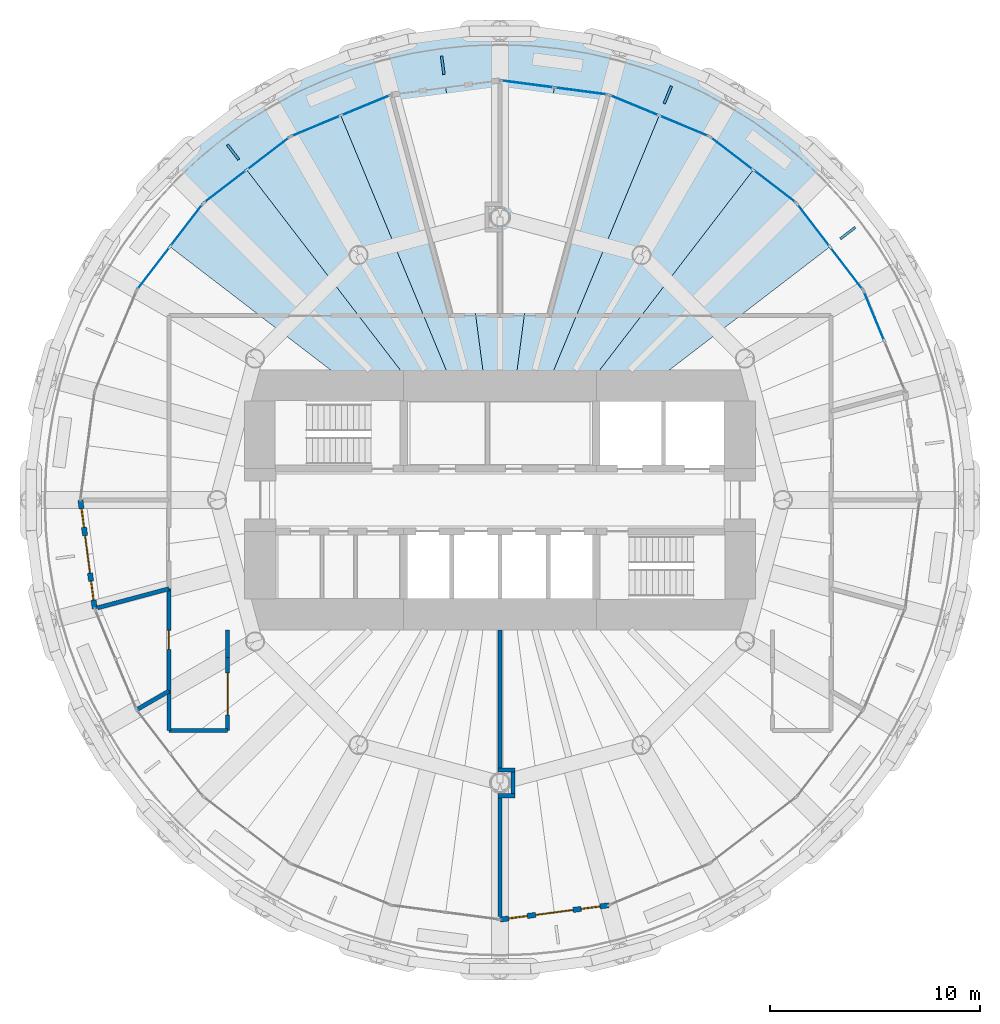
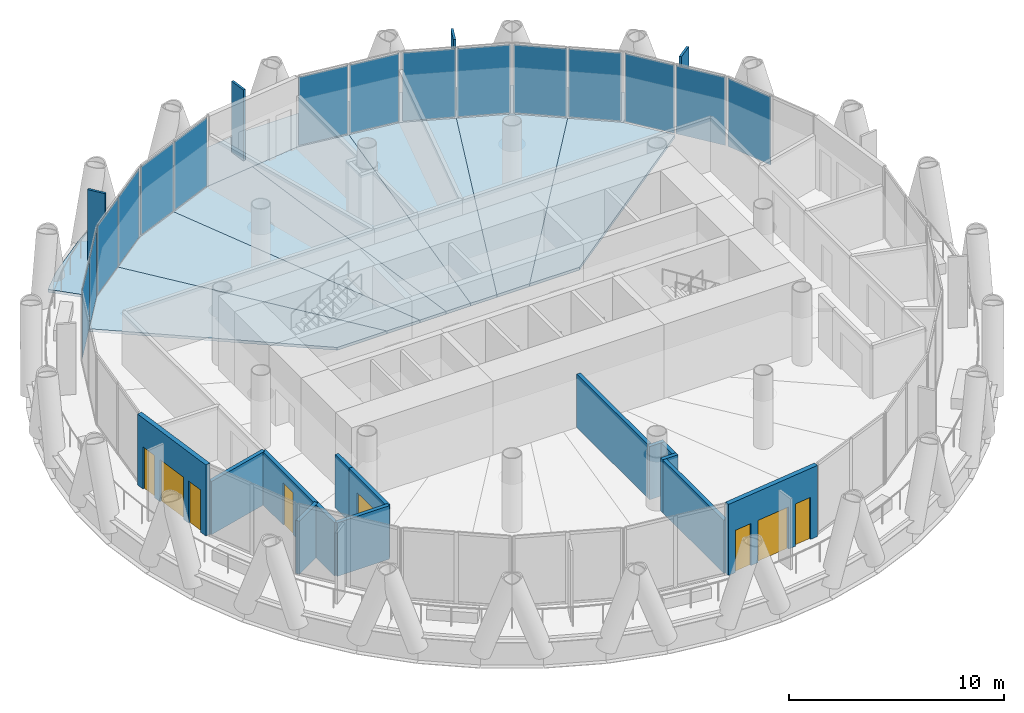
# One storey, part 8 of 14: 19 plates, 14 walls, 8 slabs, 4 doors, 4 windows, 8 openings, 8 elements without a shape of their own.
"""IFC4 building model written with IfcOpenShell, lengths in metres."""

from ifc_helpers import new_model, si_unit, direction, frame, frame_2d, origin, origin_2d, place, context, subcontext, project, spatial, polyline, rectangle, outline, extrude, material, layer, layer_set, type_object, element, fill, aggregate, save


model = new_model("IFC4")

# Units and contexts
model_context = context("Model", 3, precision=1e-05, world=origin(), true_north=direction((0.0, 1.0)))
body_context = subcontext(model_context, "Body", "Model", "MODEL_VIEW")
ifc_project = project(units=[si_unit("LENGTHUNIT", "METRE"), si_unit("AREAUNIT", "SQUARE_METRE"), si_unit("VOLUMEUNIT", "CUBIC_METRE"), si_unit("PLANEANGLEUNIT", "RADIAN"), si_unit("MASSUNIT", "GRAM", prefix="KILO")], contexts=[model_context])

# Site, building, storey
site_placement = place(None, origin())
site = spatial("IfcSite", under=ifc_project, at=site_placement, CompositionType="ELEMENT")
building_placement = place(site_placement, origin())
building = spatial("IfcBuilding", under=site, at=building_placement, Name="Qaws Media Tower", CompositionType="ELEMENT")
storey_placement = place(building_placement, frame((0.0, 0.0, 240.199951171875)))
storey = spatial("IfcBuildingStorey", under=building, at=storey_placement, Name="L55", CompositionType="ELEMENT", Elevation=240.199951171875)

# Slabs
ifc_material_1 = material(Name="Concrete C35/45", Category="concrete")
ifc_layer_1 = layer(ifc_material_1, 0.159912109375)
ifc_layer_set_1 = layer_set([ifc_layer_1], Name="Composite balcony slab 160")
slab_type_1 = type_object("IfcSlabType", Name="Composite balcony slab 160", PredefinedType="FLOOR", material=ifc_layer_set_1)
slab_1_placement = place(storey_placement, frame((0.0, 0.0, -0.159912109375)))
element("IfcSlab", 1, at=slab_1_placement, inside=storey, type_object=slab_type_1, Name="S2 balcony slab L55 R04 to R10, movement joints on R04 and R10", PredefinedType="FLOOR", context=body_context, shape_type="SweptSolid", body=[
    extrude(outline(polyline([(45.214111328125, 66.860107421875), (47.541259765625, 68.645751953125), (50.081787109375, 70.1123046875), (52.791748046875, 71.23486328125), (55.625, 71.994140625), (58.533203125, 72.376953125), (61.466796875, 72.376953125), (64.375, 71.994140625), (67.208251953125, 71.23486328125), (69.918212890625, 70.1123046875), (72.458740234375, 68.645751953125), (74.785888671875, 66.860107421875), (75.822998046875, 65.822998046875), (74.159912109375, 64.159912109375), (70.012451171875, 67.34228515625), (65.182861328125, 69.3427734375), (60.0, 70.02490234375), (54.817138671875, 69.3427734375), (49.987548828125, 67.34228515625), (45.840087890625, 64.159912109375), (44.177001953125, 65.822998046875), (45.214111328125, 66.860107421875)])), origin(), (0.0, 0.0, 1.0), 0.159912109375),
])
ifc_material_2 = material(Name="Concrete C35/45", Category="concrete")
ifc_layer_2 = layer(ifc_material_2, 0.159912109375)
ifc_layer_set_2 = layer_set([ifc_layer_2], Name="Composite floor slab 160")
slab_type_2 = type_object("IfcSlabType", Name="Composite floor slab 160", PredefinedType="FLOOR", material=ifc_layer_set_2)
slab_2_placement = place(storey_placement, frame((0.0, 0.0, -0.159912109375)))
element("IfcSlab", 2, at=slab_2_placement, inside=storey, type_object=slab_type_2, Name="S1 floor panel L55 on R04", PredefinedType="FLOOR", context=body_context, shape_type="SweptSolid", body=[
    extrude(outline(polyline([(74.159912109375, 64.159912109375), (75.7509765625, 62.086181640625), (66.51611328125, 55.0), (63.836669921875, 55.0), (72.086181640625, 65.7509765625), (74.159912109375, 64.159912109375)])), origin(), (0.0, 0.0, 1.0), 0.159912109375),
])
slab_3_placement = place(storey_placement, frame((0.0, 0.0, -0.159912109375)))
element("IfcSlab", 3, at=slab_3_placement, inside=storey, type_object=slab_type_2, Name="S1 floor panel L55 on R05", PredefinedType="FLOOR", context=body_context, shape_type="SweptSolid", body=[
    extrude(outline(polyline([(70.012451171875, 67.34228515625), (72.086181640625, 65.7509765625), (63.836669921875, 55.0), (62.071044921875, 55.0), (67.59765625, 68.34228515625), (70.012451171875, 67.34228515625)])), origin(), (0.0, 0.0, 1.0), 0.159912109375),
])
slab_4_placement = place(storey_placement, frame((0.0, 0.0, -0.159912109375)))
element("IfcSlab", 4, at=slab_4_placement, inside=storey, type_object=slab_type_2, Name="S1 floor panel L55 on R06", PredefinedType="FLOOR", context=body_context, shape_type="SweptSolid", body=[
    extrude(outline(polyline([(65.182861328125, 69.3427734375), (67.59765625, 68.34228515625), (62.071044921875, 55.0), (60.658203125, 55.0), (62.59130859375, 69.683837890625), (65.182861328125, 69.3427734375)])), origin(), (0.0, 0.0, 1.0), 0.159912109375),
])
slab_5_placement = place(storey_placement, frame((0.0, 0.0, -0.159912109375)))
element("IfcSlab", 5, at=slab_5_placement, inside=storey, type_object=slab_type_2, Name="S1 floor panel L55 on R07", PredefinedType="FLOOR", context=body_context, shape_type="SweptSolid", body=[
    extrude(outline(polyline([(60.0, 70.02490234375), (62.59130859375, 69.683837890625), (60.658203125, 55.0), (59.341796875, 55.0), (57.40869140625, 69.683837890625), (60.0, 70.02490234375)])), origin(), (0.0, 0.0, 1.0), 0.159912109375),
])
slab_6_placement = place(storey_placement, frame((0.0, 0.0, -0.159912109375)))
element("IfcSlab", 6, at=slab_6_placement, inside=storey, type_object=slab_type_2, Name="S1 floor panel L55 on R08", PredefinedType="FLOOR", context=body_context, shape_type="SweptSolid", body=[
    extrude(outline(polyline([(54.817138671875, 69.3427734375), (57.40869140625, 69.683837890625), (59.341796875, 55.0), (57.928955078125, 55.0), (52.40234375, 68.34228515625), (54.817138671875, 69.3427734375)])), origin(), (0.0, 0.0, 1.0), 0.159912109375),
])
slab_7_placement = place(storey_placement, frame((0.0, 0.0, -0.159912109375)))
element("IfcSlab", 7, at=slab_7_placement, inside=storey, type_object=slab_type_2, Name="S1 floor panel L55 on R09", PredefinedType="FLOOR", context=body_context, shape_type="SweptSolid", body=[
    extrude(outline(polyline([(49.987548828125, 67.34228515625), (52.40234375, 68.34228515625), (57.928955078125, 55.0), (56.163330078125, 55.0), (47.913818359375, 65.7509765625), (49.987548828125, 67.34228515625)])), origin(), (0.0, 0.0, 1.0), 0.159912109375),
])
slab_8_placement = place(storey_placement, frame((0.0, 0.0, -0.159912109375)))
element("IfcSlab", 8, at=slab_8_placement, inside=storey, type_object=slab_type_2, Name="S1 floor panel L55 on R10", PredefinedType="FLOOR", context=body_context, shape_type="SweptSolid", body=[
    extrude(outline(polyline([(45.840087890625, 64.159912109375), (47.913818359375, 65.7509765625), (56.163330078125, 55.0), (53.48388671875, 55.0), (44.2490234375, 62.086181640625), (45.840087890625, 64.159912109375)])), origin(), (0.0, 0.0, 1.0), 0.159912109375),
])

# Curtain wall, plate
ifc_material_3 = material(Name="Aluminium and clear glass", Category="aluminium")
curtain_wall_type = type_object("IfcCurtainWallType", Name="Unitised curtain wall CW-C", PredefinedType="NOTDEFINED", material=ifc_material_3)
curtain_wall_1_placement = place(storey_placement, origin())
curtain_wall_1 = element("IfcCurtainWall", 9, at=curtain_wall_1_placement, inside=storey, type_object=curtain_wall_type, Name="CWC curtain wall L55-02", PredefinedType="NOTDEFINED")
ifc_material_4 = material(Name="Clear laminated double glazing", Category="glass")
ifc_layer_3 = layer(ifc_material_4, 0.031982421875)
ifc_layer_set_3 = layer_set([ifc_layer_3], Name="Curtain wall glass unit 32")
plate_type_1 = type_object("IfcPlateType", Name="Curtain wall glass unit 32", PredefinedType="CURTAIN_PANEL", material=ifc_layer_set_3)
plate_1_placement = place(storey_placement, frame((77.849853515625, 58.78662109375, 0.080078125), z_axis=(0.0, 0.0, 1.0), x_axis=(-0.382683413209, 0.923879540446, 0.0)))
plate_1 = element("IfcPlate", 10, at=plate_1_placement, type_object=plate_type_1, Name="CWC panel 2.1", PredefinedType="CURTAIN_PANEL", context=body_context, shape_type="SweptSolid", body=[
    extrude(rectangle(XDim=2.493896484375, YDim=0.031982421875, at=origin_2d()), origin(), (0.0, 0.0, 1.0), 3.8798828125),
])
aggregate(curtain_wall_1, [plate_1])

# Curtain wall, plates
curtain_wall_2_placement = place(storey_placement, origin())
curtain_wall_2 = element("IfcCurtainWall", 11, at=curtain_wall_2_placement, inside=storey, type_object=curtain_wall_type, Name="CWC curtain wall L55-03", PredefinedType="NOTDEFINED")
plate_2_placement = place(storey_placement, frame((76.534423828125, 61.065185546875, 0.080078125), z_axis=(0.0, 0.0, 1.0), x_axis=(-0.60876152624, 0.793353265683, 0.0)))
plate_2 = element("IfcPlate", 12, at=plate_2_placement, type_object=plate_type_1, Name="CWC panel 1.1", PredefinedType="CURTAIN_PANEL", context=body_context, shape_type="SweptSolid", body=[
    extrude(rectangle(XDim=2.493896484375, YDim=0.031982421875, at=origin_2d()), origin(), (0.0, 0.0, 1.0), 3.8798828125),
])
plate_3_placement = place(storey_placement, frame((74.967529296875, 63.107177734375, 0.080078125), z_axis=(0.0, 0.0, 1.0), x_axis=(-0.60876152624, 0.793353265683, 0.0)))
plate_3 = element("IfcPlate", 13, at=plate_3_placement, type_object=plate_type_1, Name="CWC panel 2.1", PredefinedType="CURTAIN_PANEL", context=body_context, shape_type="SweptSolid", body=[
    extrude(rectangle(XDim=2.493896484375, YDim=0.031982421875, at=origin_2d()), origin(), (0.0, 0.0, 1.0), 3.8798828125),
])
aggregate(curtain_wall_2, [plate_2, plate_3])

curtain_wall_3_placement = place(storey_placement, origin())
curtain_wall_3 = element("IfcCurtainWall", 14, at=curtain_wall_3_placement, inside=storey, type_object=curtain_wall_type, Name="CWC curtain wall L55-04", PredefinedType="NOTDEFINED")
plate_4_placement = place(storey_placement, frame((73.107177734375, 64.967529296875, 0.080078125), z_axis=(0.0, 0.0, 1.0), x_axis=(-0.793353265683, 0.60876152624, 0.0)))
plate_4 = element("IfcPlate", 15, at=plate_4_placement, type_object=plate_type_1, Name="CWC panel 1.1", PredefinedType="CURTAIN_PANEL", context=body_context, shape_type="SweptSolid", body=[
    extrude(rectangle(XDim=2.493896484375, YDim=0.031982421875, at=origin_2d()), origin(), (0.0, 0.0, 1.0), 3.8798828125),
])
plate_5_placement = place(storey_placement, frame((71.065185546875, 66.534423828125, 0.080078125), z_axis=(0.0, 0.0, 1.0), x_axis=(-0.793353265683, 0.60876152624, 0.0)))
plate_5 = element("IfcPlate", 16, at=plate_5_placement, type_object=plate_type_1, Name="CWC panel 2.1", PredefinedType="CURTAIN_PANEL", context=body_context, shape_type="SweptSolid", body=[
    extrude(rectangle(XDim=2.493896484375, YDim=0.031982421875, at=origin_2d()), origin(), (0.0, 0.0, 1.0), 3.8798828125),
])
aggregate(curtain_wall_3, [plate_4, plate_5])

curtain_wall_4_placement = place(storey_placement, origin())
curtain_wall_4 = element("IfcCurtainWall", 17, at=curtain_wall_4_placement, inside=storey, type_object=curtain_wall_type, Name="CWC curtain wall L55-05", PredefinedType="NOTDEFINED")
plate_6_placement = place(storey_placement, frame((68.78662109375, 67.849853515625, 0.080078125), z_axis=(0.0, 0.0, 1.0), x_axis=(-0.923879540446, 0.382683413209, 0.0)))
plate_6 = element("IfcPlate", 18, at=plate_6_placement, type_object=plate_type_1, Name="CWC panel 1.1", PredefinedType="CURTAIN_PANEL", context=body_context, shape_type="SweptSolid", body=[
    extrude(rectangle(XDim=2.493896484375, YDim=0.031982421875, at=origin_2d()), origin(), (0.0, 0.0, 1.0), 3.8798828125),
])
plate_7_placement = place(storey_placement, frame((66.40869140625, 68.8349609375, 0.080078125), z_axis=(0.0, 0.0, 1.0), x_axis=(-0.923879540446, 0.382683413209, 0.0)))
plate_7 = element("IfcPlate", 19, at=plate_7_placement, type_object=plate_type_1, Name="CWC panel 2.1", PredefinedType="CURTAIN_PANEL", context=body_context, shape_type="SweptSolid", body=[
    extrude(rectangle(XDim=2.493896484375, YDim=0.031982421875, at=origin_2d()), origin(), (0.0, 0.0, 1.0), 3.8798828125),
])
aggregate(curtain_wall_4, [plate_6, plate_7])

curtain_wall_5_placement = place(storey_placement, origin())
curtain_wall_5 = element("IfcCurtainWall", 20, at=curtain_wall_5_placement, inside=storey, type_object=curtain_wall_type, Name="CWC curtain wall L55-06", PredefinedType="NOTDEFINED")
plate_8_placement = place(storey_placement, frame((63.8671875, 69.515869140625, 0.080078125), z_axis=(0.0, 0.0, 1.0), x_axis=(-0.991444868274, 0.130526139806, 0.0)))
plate_8 = element("IfcPlate", 21, at=plate_8_placement, type_object=plate_type_1, Name="CWC panel 1.1", PredefinedType="CURTAIN_PANEL", context=body_context, shape_type="SweptSolid", body=[
    extrude(rectangle(XDim=2.493896484375, YDim=0.031982421875, at=origin_2d()), origin(), (0.0, 0.0, 1.0), 3.8798828125),
])
plate_9_placement = place(storey_placement, frame((61.3154296875, 69.851806640625, 0.080078125), z_axis=(0.0, 0.0, 1.0), x_axis=(-0.991444868274, 0.130526139806, 0.0)))
plate_9 = element("IfcPlate", 22, at=plate_9_placement, type_object=plate_type_1, Name="CWC panel 2.1", PredefinedType="CURTAIN_PANEL", context=body_context, shape_type="SweptSolid", body=[
    extrude(rectangle(XDim=2.493896484375, YDim=0.031982421875, at=origin_2d()), origin(), (0.0, 0.0, 1.0), 3.8798828125),
])
aggregate(curtain_wall_5, [plate_8, plate_9])

curtain_wall_6_placement = place(storey_placement, origin())
curtain_wall_6 = element("IfcCurtainWall", 23, at=curtain_wall_6_placement, inside=storey, type_object=curtain_wall_type, Name="CWC curtain wall L55-08", PredefinedType="NOTDEFINED")
plate_10_placement = place(storey_placement, frame((53.59130859375, 68.8349609375, 0.080078125), z_axis=(0.0, 0.0, 1.0), x_axis=(-0.923879540446, -0.382683413209, 0.0)))
plate_10 = element("IfcPlate", 24, at=plate_10_placement, type_object=plate_type_1, Name="CWC panel 1.1", PredefinedType="CURTAIN_PANEL", context=body_context, shape_type="SweptSolid", body=[
    extrude(rectangle(XDim=2.493896484375, YDim=0.031982421875, at=origin_2d()), origin(), (0.0, 0.0, 1.0), 3.8798828125),
])
plate_11_placement = place(storey_placement, frame((51.21337890625, 67.849853515625, 0.080078125), z_axis=(0.0, 0.0, 1.0), x_axis=(-0.923879540446, -0.382683413209, 0.0)))
plate_11 = element("IfcPlate", 25, at=plate_11_placement, type_object=plate_type_1, Name="CWC panel 2.1", PredefinedType="CURTAIN_PANEL", context=body_context, shape_type="SweptSolid", body=[
    extrude(rectangle(XDim=2.493896484375, YDim=0.031982421875, at=origin_2d()), origin(), (0.0, 0.0, 1.0), 3.8798828125),
])
aggregate(curtain_wall_6, [plate_10, plate_11])

curtain_wall_7_placement = place(storey_placement, origin())
curtain_wall_7 = element("IfcCurtainWall", 26, at=curtain_wall_7_placement, inside=storey, type_object=curtain_wall_type, Name="CWC curtain wall L55-09", PredefinedType="NOTDEFINED")
plate_12_placement = place(storey_placement, frame((48.934814453125, 66.534423828125, 0.080078125), z_axis=(0.0, 0.0, 1.0), x_axis=(-0.793353265683, -0.60876152624, 0.0)))
plate_12 = element("IfcPlate", 27, at=plate_12_placement, type_object=plate_type_1, Name="CWC panel 1.1", PredefinedType="CURTAIN_PANEL", context=body_context, shape_type="SweptSolid", body=[
    extrude(rectangle(XDim=2.493896484375, YDim=0.031982421875, at=origin_2d()), origin(), (0.0, 0.0, 1.0), 3.8798828125),
])
plate_13_placement = place(storey_placement, frame((46.892822265625, 64.967529296875, 0.080078125), z_axis=(0.0, 0.0, 1.0), x_axis=(-0.793353265683, -0.60876152624, 0.0)))
plate_13 = element("IfcPlate", 28, at=plate_13_placement, type_object=plate_type_1, Name="CWC panel 2.1", PredefinedType="CURTAIN_PANEL", context=body_context, shape_type="SweptSolid", body=[
    extrude(rectangle(XDim=2.493896484375, YDim=0.031982421875, at=origin_2d()), origin(), (0.0, 0.0, 1.0), 3.8798828125),
])
aggregate(curtain_wall_7, [plate_12, plate_13])

curtain_wall_8_placement = place(storey_placement, origin())
curtain_wall_8 = element("IfcCurtainWall", 29, at=curtain_wall_8_placement, inside=storey, type_object=curtain_wall_type, Name="CWC curtain wall L55-10", PredefinedType="NOTDEFINED")
plate_14_placement = place(storey_placement, frame((45.032470703125, 63.107177734375, 0.080078125), z_axis=(0.0, 0.0, 1.0), x_axis=(-0.60876152624, -0.793353265683, 0.0)))
plate_14 = element("IfcPlate", 30, at=plate_14_placement, type_object=plate_type_1, Name="CWC panel 1.1", PredefinedType="CURTAIN_PANEL", context=body_context, shape_type="SweptSolid", body=[
    extrude(rectangle(XDim=2.493896484375, YDim=0.031982421875, at=origin_2d()), origin(), (0.0, 0.0, 1.0), 3.8798828125),
])
plate_15_placement = place(storey_placement, frame((43.465576171875, 61.065185546875, 0.080078125), z_axis=(0.0, 0.0, 1.0), x_axis=(-0.60876152624, -0.793353265683, 0.0)))
plate_15 = element("IfcPlate", 31, at=plate_15_placement, type_object=plate_type_1, Name="CWC panel 2.1", PredefinedType="CURTAIN_PANEL", context=body_context, shape_type="SweptSolid", body=[
    extrude(rectangle(XDim=2.493896484375, YDim=0.031982421875, at=origin_2d()), origin(), (0.0, 0.0, 1.0), 3.8798828125),
])
aggregate(curtain_wall_8, [plate_14, plate_15])

# Plates
ifc_material_5 = material(Name="Precast concrete screen fin", Category="concrete")
ifc_layer_4 = layer(ifc_material_5, 0.1201171875)
ifc_layer_set_4 = layer_set([ifc_layer_4], Name="Screen fin 120x900")
plate_type_2 = type_object("IfcPlateType", Name="Screen fin 120x900", PredefinedType="USERDEFINED", material=ifc_layer_set_4)
for number, where, z_axis, x_axis, name in (
    (32, (76.600830078125, 62.73828125, 0.0), (0.0, 0.0, 1.0), (0.793353340291, 0.608761429009, 0.0), "SCR1 screen fin L55-02"),
    (33, (68.007568359375, 69.332275390625, 0.0), (0.0, 0.0, 1.0), (0.382683432365, 0.923879532511, 0.0), "SCR1 screen fin L55-03"),
    (34, (57.268798828125, 70.74609375, 0.0), (0.0, 0.0, 1.0), (-0.13052619222, 0.991444861374, 0.0), "SCR1 screen fin L55-04"),
    (35, (47.26171875, 66.600830078125, 0.0), (0.0, 0.0, 1.0), (-0.608761429009, 0.793353340291, 0.0), "SCR1 screen fin L55-05"),
):
    element("IfcPlate", number, at=place(storey_placement, frame(where, z_axis=z_axis, x_axis=x_axis)), inside=storey, type_object=plate_type_2, Name=name, ObjectType="SCREEN", PredefinedType="USERDEFINED", context=body_context, shape_type="SweptSolid", body=[
        extrude(rectangle(XDim=0.89990234375, YDim=0.1201171875, at=origin_2d()), origin(), (0.0, 0.0, 1.0), 4.0400390625),
    ])

# Wall, openings, door, windows
ifc_material_6 = material(Name="Precast concrete, exposed finish", Category="concrete")
ifc_layer_5 = layer(ifc_material_6, 0.25)
ifc_layer_set_5 = layer_set([ifc_layer_5], Name="Balcony door wall 250")
wall_type_1 = type_object("IfcWallType", Name="Balcony door wall 250", PredefinedType="SOLIDWALL", material=ifc_layer_set_5)
wall_1_placement = place(storey_placement, frame((39.97509765625, 50.0, 0.0), z_axis=(0.0, 0.0, 1.0), x_axis=(0.130487131216, -0.99145000307, 0.0)))
wall_1 = element("IfcWall", 36, at=wall_1_placement, inside=storey, type_object=wall_type_1, Name="W256 EW1 balcony door wall L55-13", PredefinedType="SOLIDWALL", context=body_context, shape_type="SweptSolid", body=[
    extrude(rectangle(XDim=5.2275390625, YDim=0.25, at=frame_2d((2.61376953125, 0.0))), origin(), (0.0, 0.0, 1.0), 4.0400390625),
])
opening_1_placement = place(wall_1_placement, frame((1.7138671875, 0.0, 0.0)))
opening_1 = element("IfcOpeningElement", 37, at=opening_1_placement, cuts=wall_1, Name="Opening D7", PredefinedType="OPENING", context=body_context, shape_type="SweptSolid", body=[
    extrude(rectangle(XDim=1.800048828125, YDim=2.39990234375, at=frame_2d((0.89990234375, 1.199951171875))), frame((0.0, 0.135009765625, 0.0), z_axis=(0.0, -1.0, 0.0), x_axis=(1.0, 0.0, 0.0)), (0.0, 0.0, 1.0), 0.27001953125),
])
opening_2_placement = place(wall_1_placement, frame((0.413818359375, 0.0, 0.0)))
opening_2 = element("IfcOpeningElement", 38, at=opening_2_placement, cuts=wall_1, Name="Opening W7", PredefinedType="OPENING", context=body_context, shape_type="SweptSolid", body=[
    extrude(rectangle(XDim=0.89990234375, YDim=2.39990234375, at=frame_2d((0.449951171875, 1.199951171875))), frame((0.0, 0.135009765625, 0.0), z_axis=(0.0, -1.0, 0.0), x_axis=(1.0, 0.0, 0.0)), (0.0, 0.0, 1.0), 0.27001953125),
])
opening_3_placement = place(wall_1_placement, frame((3.913818359375, 0.0, 0.0)))
opening_3 = element("IfcOpeningElement", 39, at=opening_3_placement, cuts=wall_1, Name="Opening W7", PredefinedType="OPENING", context=body_context, shape_type="SweptSolid", body=[
    extrude(rectangle(XDim=0.89990234375, YDim=2.39990234375, at=frame_2d((0.449951171875, 1.199951171875))), frame((0.0, 0.135009765625, 0.0), z_axis=(0.0, -1.0, 0.0), x_axis=(1.0, 0.0, 0.0)), (0.0, 0.0, 1.0), 0.27001953125),
])
ifc_material_7 = material(Name="Aluminium and clear glass", Category="aluminium")
door_type_1 = type_object("IfcDoorType", Name="Balcony door pair 1800", OperationType="DOUBLE_DOOR_SLIDING", PredefinedType="DOOR", material=ifc_material_7)
door_1_placement = place(opening_1_placement, origin())
door_1 = element("IfcDoor", 40, at=door_1_placement, inside=storey, type_object=door_type_1, Name="D7 balcony door L55-13 in wall W256", OperationType="DOUBLE_DOOR_SLIDING", OverallHeight=2.39990234375, OverallWidth=1.800048828125, PredefinedType="DOOR", context=body_context, shape_type="SweptSolid", body=[
    extrude(rectangle(XDim=1.800048828125, YDim=2.39990234375, at=frame_2d((0.89990234375, 1.199951171875))), frame((0.0, 0.02490234375, 0.0), z_axis=(0.0, -1.0, 0.0), x_axis=(1.0, 0.0, 0.0)), (0.0, 0.0, 1.0), 0.050048828125),
])
fill(opening_1, door_1)
ifc_material_8 = material(Name="Aluminium and clear glass", Category="aluminium")
window_type = type_object("IfcWindowType", Name="Balcony side window 900", PartitioningType="SINGLE_PANEL", PredefinedType="WINDOW", material=ifc_material_8)
window_1_placement = place(opening_2_placement, origin())
window_1 = element("IfcWindow", 41, at=window_1_placement, inside=storey, type_object=window_type, Name="W1 balcony side light L55-13L", OverallHeight=2.39990234375, OverallWidth=0.89990234375, PartitioningType="SINGLE_PANEL", PredefinedType="WINDOW", context=body_context, shape_type="SweptSolid", body=[
    extrude(rectangle(XDim=0.89990234375, YDim=2.39990234375, at=frame_2d((0.449951171875, 1.199951171875))), frame((0.0, 0.030029296875, 0.0), z_axis=(0.0, -1.0, 0.0), x_axis=(1.0, 0.0, 0.0)), (0.0, 0.0, 1.0), 0.06005859375),
])
fill(opening_2, window_1)
window_2_placement = place(opening_3_placement, origin())
window_2 = element("IfcWindow", 42, at=window_2_placement, inside=storey, type_object=window_type, Name="W1 balcony side light L55-13R", OverallHeight=2.39990234375, OverallWidth=0.89990234375, PartitioningType="SINGLE_PANEL", PredefinedType="WINDOW", context=body_context, shape_type="SweptSolid", body=[
    extrude(rectangle(XDim=0.89990234375, YDim=2.39990234375, at=frame_2d((0.449951171875, 1.199951171875))), frame((0.0, 0.030029296875, 0.0), z_axis=(0.0, -1.0, 0.0), x_axis=(1.0, 0.0, 0.0)), (0.0, 0.0, 1.0), 0.06005859375),
])
fill(opening_3, window_2)

wall_2_placement = place(storey_placement, frame((60.0, 29.97509765625, 0.0), z_axis=(0.0, 0.0, 1.0), x_axis=(0.99145000307, 0.130487131216, 0.0)))
wall_2 = element("IfcWall", 43, at=wall_2_placement, inside=storey, type_object=wall_type_1, Name="W257 EW1 balcony door wall L55-19", PredefinedType="SOLIDWALL", context=body_context, shape_type="SweptSolid", body=[
    extrude(rectangle(XDim=5.2275390625, YDim=0.25, at=frame_2d((2.61376953125, 0.0))), origin(), (0.0, 0.0, 1.0), 4.0400390625),
])
opening_4_placement = place(wall_2_placement, frame((1.7138671875, 0.0, 0.0)))
opening_4 = element("IfcOpeningElement", 44, at=opening_4_placement, cuts=wall_2, Name="Opening D7", PredefinedType="OPENING", context=body_context, shape_type="SweptSolid", body=[
    extrude(rectangle(XDim=1.800048828125, YDim=2.39990234375, at=frame_2d((0.89990234375, 1.199951171875))), frame((0.0, 0.135009765625, 0.0), z_axis=(0.0, -1.0, 0.0), x_axis=(1.0, 0.0, 0.0)), (0.0, 0.0, 1.0), 0.27001953125),
])
opening_5_placement = place(wall_2_placement, frame((0.413818359375, 0.0, 0.0)))
opening_5 = element("IfcOpeningElement", 45, at=opening_5_placement, cuts=wall_2, Name="Opening W7", PredefinedType="OPENING", context=body_context, shape_type="SweptSolid", body=[
    extrude(rectangle(XDim=0.89990234375, YDim=2.39990234375, at=frame_2d((0.449951171875, 1.199951171875))), frame((0.0, 0.135009765625, 0.0), z_axis=(0.0, -1.0, 0.0), x_axis=(1.0, 0.0, 0.0)), (0.0, 0.0, 1.0), 0.27001953125),
])
opening_6_placement = place(wall_2_placement, frame((3.913818359375, 0.0, 0.0)))
opening_6 = element("IfcOpeningElement", 46, at=opening_6_placement, cuts=wall_2, Name="Opening W7", PredefinedType="OPENING", context=body_context, shape_type="SweptSolid", body=[
    extrude(rectangle(XDim=0.89990234375, YDim=2.39990234375, at=frame_2d((0.449951171875, 1.199951171875))), frame((0.0, 0.135009765625, 0.0), z_axis=(0.0, -1.0, 0.0), x_axis=(1.0, 0.0, 0.0)), (0.0, 0.0, 1.0), 0.27001953125),
])
door_2_placement = place(opening_4_placement, origin())
door_2 = element("IfcDoor", 47, at=door_2_placement, inside=storey, type_object=door_type_1, Name="D7 balcony door L55-19 in wall W257", OperationType="DOUBLE_DOOR_SLIDING", OverallHeight=2.39990234375, OverallWidth=1.800048828125, PredefinedType="DOOR", context=body_context, shape_type="SweptSolid", body=[
    extrude(rectangle(XDim=1.800048828125, YDim=2.39990234375, at=frame_2d((0.89990234375, 1.199951171875))), frame((0.0, 0.02490234375, 0.0), z_axis=(0.0, -1.0, 0.0), x_axis=(1.0, 0.0, 0.0)), (0.0, 0.0, 1.0), 0.050048828125),
])
fill(opening_4, door_2)
window_3_placement = place(opening_5_placement, origin())
window_3 = element("IfcWindow", 48, at=window_3_placement, inside=storey, type_object=window_type, Name="W1 balcony side light L55-19L", OverallHeight=2.39990234375, OverallWidth=0.89990234375, PartitioningType="SINGLE_PANEL", PredefinedType="WINDOW", context=body_context, shape_type="SweptSolid", body=[
    extrude(rectangle(XDim=0.89990234375, YDim=2.39990234375, at=frame_2d((0.449951171875, 1.199951171875))), frame((0.0, 0.030029296875, 0.0), z_axis=(0.0, -1.0, 0.0), x_axis=(1.0, 0.0, 0.0)), (0.0, 0.0, 1.0), 0.06005859375),
])
fill(opening_5, window_3)
window_4_placement = place(opening_6_placement, origin())
window_4 = element("IfcWindow", 49, at=window_4_placement, inside=storey, type_object=window_type, Name="W1 balcony side light L55-19R", OverallHeight=2.39990234375, OverallWidth=0.89990234375, PartitioningType="SINGLE_PANEL", PredefinedType="WINDOW", context=body_context, shape_type="SweptSolid", body=[
    extrude(rectangle(XDim=0.89990234375, YDim=2.39990234375, at=frame_2d((0.449951171875, 1.199951171875))), frame((0.0, 0.030029296875, 0.0), z_axis=(0.0, -1.0, 0.0), x_axis=(1.0, 0.0, 0.0)), (0.0, 0.0, 1.0), 0.06005859375),
])
fill(opening_6, window_4)

# Wall
ifc_material_9 = material(Name="Gypsum board on galvanised metal studs, acoustic double stud, deflection head", Category="gypsum")
ifc_layer_6 = layer(ifc_material_9, 0.199951171875)
ifc_layer_set_6 = layer_set([ifc_layer_6], Name="Room partition 200")
wall_type_2 = type_object("IfcWallType", Name="Room partition 200", PredefinedType="PARTITIONING", material=ifc_layer_set_6)
wall_3_placement = place(storey_placement, frame((47.0, 43.800048828125, 0.0), z_axis=(0.0, 0.0, 1.0), x_axis=(0.0, -1.0, 0.0)))
element("IfcWall", 50, at=wall_3_placement, inside=storey, type_object=wall_type_2, Name="W1600 IW3 partition L55", PredefinedType="PARTITIONING", context=body_context, shape_type="SweptSolid", body=[
    extrude(rectangle(XDim=1.3056640625, YDim=0.199951171875, at=frame_2d((0.65283203125, 0.0))), origin(), (0.0, 0.0, 1.0), 3.02001953125),
])

# Wall, opening, door
wall_4_placement = place(storey_placement, frame((47.0, 42.494384765625, 0.0), z_axis=(0.0, 0.0, 1.0), x_axis=(0.0, -1.0, 0.0)))
wall_4 = element("IfcWall", 51, at=wall_4_placement, inside=storey, type_object=wall_type_2, Name="W1599 IW3 partition L55", PredefinedType="PARTITIONING", context=body_context, shape_type="SweptSolid", body=[
    extrude(rectangle(XDim=3.494384765625, YDim=0.199951171875, at=frame_2d((1.7470703125, 0.0))), origin(), (0.0, 0.0, 1.0), 3.02001953125),
])
opening_7_placement = place(wall_4_placement, frame((0.747314453125, 0.0, 0.0)))
opening_7 = element("IfcOpeningElement", 52, at=opening_7_placement, cuts=wall_4, Name="Opening D6", PredefinedType="OPENING", context=body_context, shape_type="SweptSolid", body=[
    extrude(rectangle(XDim=2.0, YDim=2.10009765625, at=frame_2d((1.0, 1.050048828125))), frame((0.0, 0.10986328125, 0.0), z_axis=(0.0, -1.0, 0.0), x_axis=(1.0, 0.0, 0.0)), (0.0, 0.0, 1.0), 0.219970703125),
])
ifc_material_10 = material(Name="Steel, acoustic, fire rated", Category="steel")
door_type_2 = type_object("IfcDoorType", Name="Room door pair 2000", OperationType="DOUBLE_DOOR_DOUBLE_SWING", PredefinedType="DOOR", material=ifc_material_10)
door_3_placement = place(opening_7_placement, origin())
door_3 = element("IfcDoor", 53, at=door_3_placement, inside=storey, type_object=door_type_2, Name="D6 Tenant office door L55 in wall W1599", OperationType="DOUBLE_DOOR_DOUBLE_SWING", OverallHeight=2.10009765625, OverallWidth=2.0, PredefinedType="DOOR", context=body_context, shape_type="SweptSolid", body=[
    extrude(rectangle(XDim=2.0, YDim=2.10009765625, at=frame_2d((1.0, 1.050048828125))), frame((0.0, 0.02490234375, 0.0), z_axis=(0.0, -1.0, 0.0), x_axis=(1.0, 0.0, 0.0)), (0.0, 0.0, 1.0), 0.050048828125),
])
fill(opening_7, door_3)

# Walls
wall_5_placement = place(storey_placement, frame((47.0, 39.0, 0.0), z_axis=(0.0, 0.0, 1.0), x_axis=(-1.0, 0.0, 0.0)))
element("IfcWall", 54, at=wall_5_placement, inside=storey, type_object=wall_type_2, Name="W1222 IW3 partition L55", PredefinedType="PARTITIONING", context=body_context, shape_type="SweptSolid", body=[
    extrude(rectangle(XDim=2.800048828125, YDim=0.199951171875, at=frame_2d((1.39990234375, 0.0))), origin(), (0.0, 0.0, 1.0), 3.0400390625),
])
wall_6_placement = place(storey_placement, frame((44.199951171875, 39.0, 0.0), z_axis=(0.0, 0.0, 1.0), x_axis=(0.0, 1.0, 0.0)))
element("IfcWall", 55, at=wall_6_placement, inside=storey, type_object=wall_type_2, Name="W1610 IW3 partition L55", PredefinedType="PARTITIONING", context=body_context, shape_type="SweptSolid", body=[
    extrude(rectangle(XDim=1.8779296875, YDim=0.199951171875, at=frame_2d((0.93896484375, 0.0))), origin(), (0.0, 0.0, 1.0), 3.02001953125),
])

# Wall, opening, door
wall_7_placement = place(storey_placement, frame((44.199951171875, 40.8779296875, 0.0), z_axis=(0.0, 0.0, 1.0), x_axis=(0.0, 1.0, 0.0)))
wall_7 = element("IfcWall", 56, at=wall_7_placement, inside=storey, type_object=wall_type_2, Name="W1645 IW3 partition L55", PredefinedType="PARTITIONING", context=body_context, shape_type="SweptSolid", body=[
    extrude(rectangle(XDim=4.888427734375, YDim=0.199951171875, at=frame_2d((2.4443359375, 0.0))), origin(), (0.0, 0.0, 1.0), 3.02001953125),
])
opening_8_placement = place(wall_7_placement, frame((1.994384765625, 0.0, 0.0)))
opening_8 = element("IfcOpeningElement", 57, at=opening_8_placement, cuts=wall_7, Name="Opening D12", PredefinedType="OPENING", context=body_context, shape_type="SweptSolid", body=[
    extrude(rectangle(XDim=0.89990234375, YDim=2.39990234375, at=frame_2d((0.449951171875, 1.199951171875))), frame((0.0, 0.10986328125, 0.0), z_axis=(0.0, -1.0, 0.0), x_axis=(1.0, 0.0, 0.0)), (0.0, 0.0, 1.0), 0.219970703125),
])
ifc_material_11 = material(Name="Timber veneered, full height", Category="wood")
door_type_3 = type_object("IfcDoorType", Name="Office door 900x2400", OperationType="SINGLE_SWING_LEFT", PredefinedType="DOOR", material=ifc_material_11)
door_4_placement = place(opening_8_placement, origin())
door_4 = element("IfcDoor", 58, at=door_4_placement, inside=storey, type_object=door_type_3, Name="D12 Office door L55 in wall W1645", OperationType="SINGLE_SWING_LEFT", OverallHeight=2.39990234375, OverallWidth=0.89990234375, PredefinedType="DOOR", context=body_context, shape_type="SweptSolid", body=[
    extrude(rectangle(XDim=0.89990234375, YDim=2.39990234375, at=frame_2d((0.449951171875, 1.199951171875))), frame((0.0, 0.02490234375, 0.0), z_axis=(0.0, -1.0, 0.0), x_axis=(1.0, 0.0, 0.0)), (0.0, 0.0, 1.0), 0.050048828125),
])
fill(opening_8, door_4)

# Walls
wall_8_placement = place(storey_placement, frame((44.197509765625, 45.765625, 0.0), z_axis=(0.0, 0.0, 1.0), x_axis=(-0.965944651358, -0.258748778768, 0.0)))
element("IfcWall", 59, at=wall_8_placement, inside=storey, type_object=wall_type_2, Name="W1644 IW3 partition L55", PredefinedType="PARTITIONING", context=body_context, shape_type="SweptSolid", body=[
    extrude(rectangle(XDim=3.525146484375, YDim=0.199951171875, at=frame_2d((1.7626953125, 0.0))), origin(), (0.0, 0.0, 1.0), 3.02001953125),
])
wall_9_placement = place(storey_placement, frame((44.20361328125, 40.8798828125, 0.0), z_axis=(0.0, 0.0, 1.0), x_axis=(-0.866073756611, -0.499916241094, 0.0)))
element("IfcWall", 60, at=wall_9_placement, inside=storey, type_object=wall_type_2, Name="W1650 IW3 partition L55", PredefinedType="PARTITIONING", context=body_context, shape_type="SweptSolid", body=[
    extrude(rectangle(XDim=1.744873046875, YDim=0.199951171875, at=frame_2d((0.87255859375, 0.0))), origin(), (0.0, 0.0, 1.0), 3.02001953125),
])
for number, where, z_axis, x_axis, name in (
    (61, (59.89990234375, 37.116943359375, 0.0), (0.0, 0.0, 1.0), (1.0, 0.0, 0.0), "W1572 IW3 partition return L55"),
    (62, (59.89990234375, 35.883056640625, 0.0), (0.0, 0.0, 1.0), (1.0, 0.0, 0.0), "W1571 IW3 partition return L55"),
):
    element("IfcWall", number, at=place(storey_placement, frame(where, z_axis=z_axis, x_axis=x_axis)), inside=storey, type_object=wall_type_2, Name=name, PredefinedType="PARTITIONING", context=body_context, shape_type="SweptSolid", body=[
        extrude(rectangle(XDim=0.8271484375, YDim=0.199951171875, at=frame_2d((0.41357421875, 0.0))), origin(), (0.0, 0.0, 1.0), 3.02001953125),
    ])
wall_10_placement = place(storey_placement, frame((60.626953125, 37.01708984375, 0.0), z_axis=(0.0, 0.0, 1.0), x_axis=(0.0, -1.0, 0.0)))
element("IfcWall", 63, at=wall_10_placement, inside=storey, type_object=wall_type_2, Name="W1575 IW3 partition return L55", PredefinedType="PARTITIONING", context=body_context, shape_type="SweptSolid", body=[
    extrude(rectangle(XDim=1.0341796875, YDim=0.199951171875, at=frame_2d((0.51708984375, 0.0))), origin(), (0.0, 0.0, 1.0), 3.02001953125),
])
wall_11_placement = place(storey_placement, frame((60.0, 43.800048828125, 0.0), z_axis=(0.0, 0.0, 1.0), x_axis=(0.0, -1.0, 0.0)))
element("IfcWall", 64, at=wall_11_placement, inside=storey, type_object=wall_type_2, Name="W1540 IW3 partition L55", PredefinedType="PARTITIONING", context=body_context, shape_type="SweptSolid", body=[
    extrude(rectangle(XDim=6.5830078125, YDim=0.199951171875, at=frame_2d((3.29150390625, 0.0))), origin(), (0.0, 0.0, 1.0), 3.0400390625),
])
wall_12_placement = place(storey_placement, frame((60.0, 35.782958984375, 0.0), z_axis=(0.0, 0.0, 1.0), x_axis=(0.0, -1.0, 0.0)))
element("IfcWall", 65, at=wall_12_placement, inside=storey, type_object=wall_type_2, Name="W1655 IW3 partition L55", PredefinedType="PARTITIONING", context=body_context, shape_type="SweptSolid", body=[
    extrude(rectangle(XDim=5.66796875, YDim=0.199951171875, at=frame_2d((2.833984375, 0.0))), origin(), (0.0, 0.0, 1.0), 3.02001953125),
])

save(model, "model.ifc")
